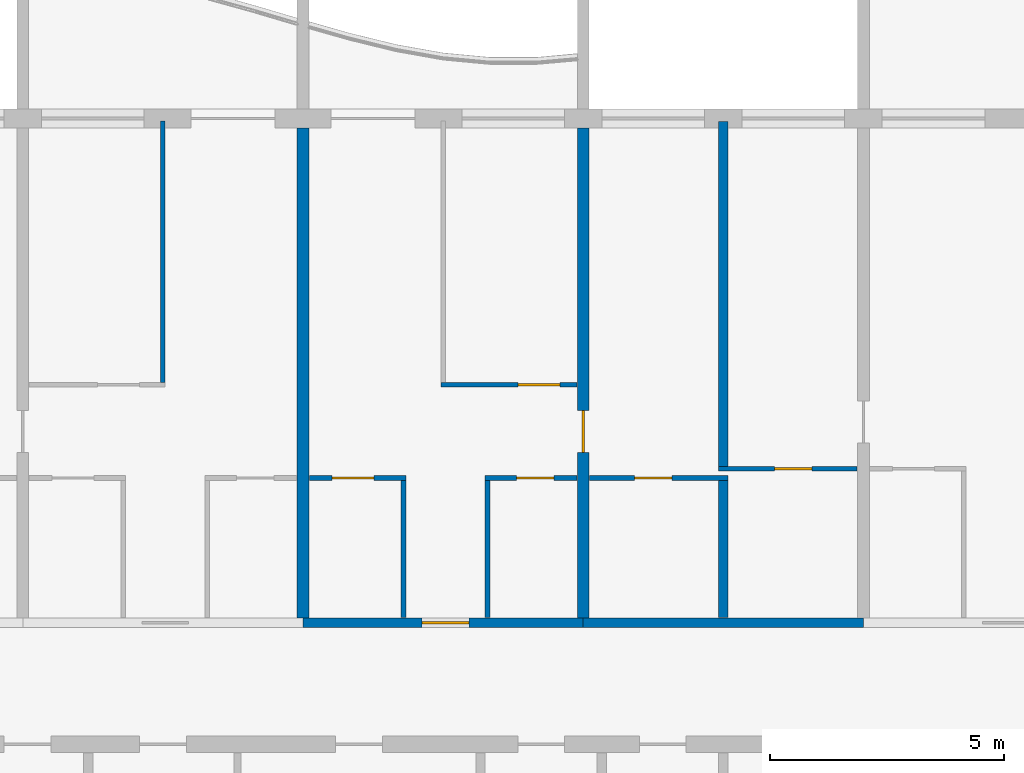
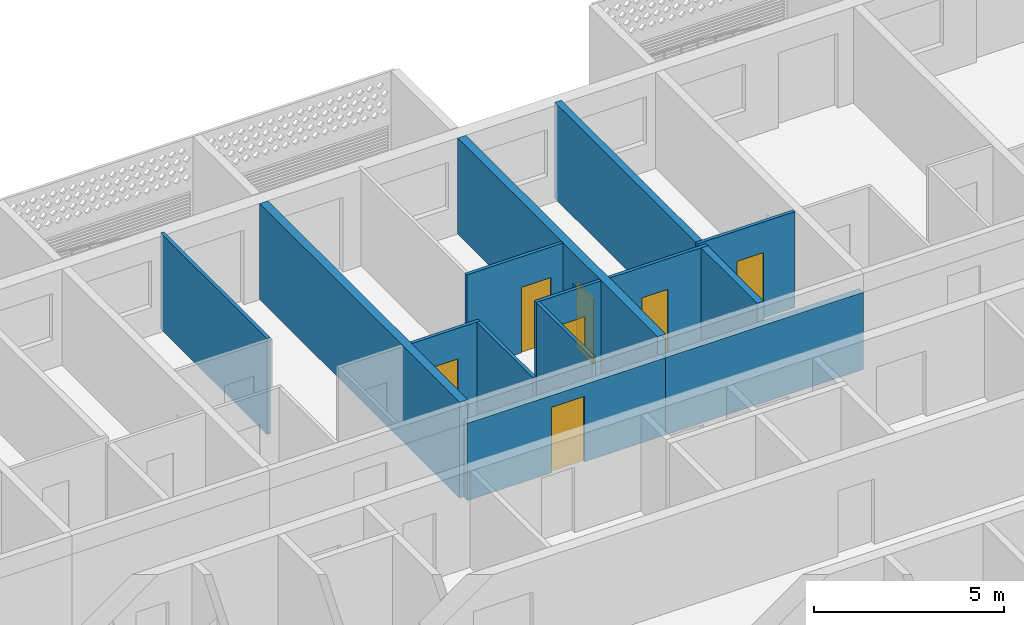
# One storey, part 9 of 27: 14 walls, 7 doors, 7 openings.
"""IFC4 building model written with IfcOpenShell, lengths in metres."""

from ifc_helpers import new_model, si_unit, direction, frame, frame_2d, origin, place, context, subcontext, project, spatial, rectangle, extrude, material, layer, layer_set, type_object, element, fill, save


model = new_model("IFC4")

# Units and contexts
model_context = context("Model", 3, precision=1e-05, world=origin(), true_north=direction((0.0, 1.0)))
body_context = subcontext(model_context, "Body", "Model", "MODEL_VIEW")
ifc_project = project(units=[si_unit("LENGTHUNIT", "METRE"), si_unit("AREAUNIT", "SQUARE_METRE"), si_unit("VOLUMEUNIT", "CUBIC_METRE"), si_unit("PLANEANGLEUNIT", "RADIAN"), si_unit("MASSUNIT", "GRAM", prefix="KILO")], contexts=[model_context])

# Site, building, storey
site_placement = place(None, origin())
site = spatial("IfcSite", under=ifc_project, at=site_placement, CompositionType="ELEMENT")
building_placement = place(site_placement, origin())
building = spatial("IfcBuilding", under=site, at=building_placement, Name="Poui Terraces", CompositionType="ELEMENT")
storey_placement = place(building_placement, frame((0.0, 0.0, 251.10009765625)))
storey = spatial("IfcBuildingStorey", under=building, at=storey_placement, Name="L70", CompositionType="ELEMENT", Elevation=251.10009765625)

# Wall, opening, door
ifc_material_1 = material(Name="Concrete 50 MPa", Category="concrete")
ifc_layer_1 = layer(ifc_material_1, 0.199951171875)
ifc_layer_set_1 = layer_set([ifc_layer_1], Name="Concrete 50 MPa")
wall_type_1 = type_object("IfcWallType", Name="CORRIDOR WALL 200 50MPa", PredefinedType="SHEAR", material=ifc_layer_set_1)
wall_1_placement = place(storey_placement, frame((54.0, 30.39990234375, 0.0), z_axis=(0.0, 0.0, 1.0), x_axis=(1.0, 0.0, 0.0)))
wall_1 = element("IfcWall", 1, at=wall_1_placement, inside=storey, type_object=wall_type_1, Name="CORRIDOR WALL LINE E BAY 7", PredefinedType="SHEAR", context=body_context, shape_type="SweptSolid", body=[
    extrude(rectangle(XDim=6.0, YDim=0.199951171875, at=frame_2d((3.0, 0.0))), origin(), (0.0, 0.0, 1.0), 2.47998046875),
])
opening_1_placement = place(wall_1_placement, frame((2.550048828125, 0.0, 0.0)))
opening_1 = element("IfcOpeningElement", 2, at=opening_1_placement, cuts=wall_1, Name="Opening FD30S", PredefinedType="OPENING", context=body_context, shape_type="SweptSolid", body=[
    extrude(rectangle(XDim=1.0, YDim=2.10009765625, at=frame_2d((0.5, 1.050048828125))), frame((0.0, 0.10986328125, 0.0), z_axis=(0.0, -1.0, 0.0), x_axis=(1.0, 0.0, 0.0)), (0.0, 0.0, 1.0), 0.219970703125),
])
ifc_material_2 = material(Name="Steel fire door", Category="steel")
door_type_1 = type_object("IfcDoorType", Name="FLAT ENTRANCE DOOR 1000 X 2100", OperationType="NOTDEFINED", PredefinedType="DOOR", material=ifc_material_2)
door_1_placement = place(opening_1_placement, origin())
door_1 = element("IfcDoor", 3, at=door_1_placement, inside=storey, type_object=door_type_1, Name="FLAT ENTRANCE DOOR 048", OperationType="SINGLE_SWING_RIGHT", OverallHeight=2.10009765625, OverallWidth=1.0, PredefinedType="DOOR", context=body_context, shape_type="SweptSolid", body=[
    extrude(rectangle(XDim=1.0, YDim=2.10009765625, at=frame_2d((0.5, 1.050048828125))), frame((0.0, 0.02490234375, 0.0), z_axis=(0.0, -1.0, 0.0), x_axis=(1.0, 0.0, 0.0)), (0.0, 0.0, 1.0), 0.050048828125),
])
fill(opening_1, door_1)

# Walls
wall_2_placement = place(storey_placement, frame((60.0, 30.39990234375, 0.0), z_axis=(0.0, 0.0, 1.0), x_axis=(1.0, 0.0, 0.0)))
element("IfcWall", 4, at=wall_2_placement, inside=storey, type_object=wall_type_1, Name="CORRIDOR WALL LINE E BAY 8", PredefinedType="SHEAR", context=body_context, shape_type="SweptSolid", body=[
    extrude(rectangle(XDim=6.0, YDim=0.199951171875, at=frame_2d((3.0, 0.0))), origin(), (0.0, 0.0, 1.0), 2.47998046875),
])
ifc_layer_2 = layer(ifc_material_1, 0.25)
ifc_layer_set_2 = layer_set([ifc_layer_2], Name="Concrete 50 MPa")
wall_type_2 = type_object("IfcWallType", Name="CROSS WALL 250 50MPa", PredefinedType="SHEAR", material=ifc_layer_set_2)
wall_3_placement = place(storey_placement, frame((54.0, 30.5, 0.0), z_axis=(0.0, 0.0, 1.0), x_axis=(0.0, 1.0, 0.0)))
element("IfcWall", 5, at=wall_3_placement, inside=storey, type_object=wall_type_2, Name="CROSS WALL LINE 10 NORTH", PredefinedType="SHEAR", context=body_context, shape_type="SweptSolid", body=[
    extrude(rectangle(XDim=10.5, YDim=0.25, at=frame_2d((5.25, 0.0))), origin(), (0.0, 0.0, 1.0), 3.079833984375),
])

# Wall, opening, door
wall_4_placement = place(storey_placement, frame((60.0, 30.5, 0.0), z_axis=(0.0, 0.0, 1.0), x_axis=(0.0, 1.0, 0.0)))
wall_4 = element("IfcWall", 6, at=wall_4_placement, inside=storey, type_object=wall_type_2, Name="CROSS WALL LINE 11 NORTH", PredefinedType="SHEAR", context=body_context, shape_type="SweptSolid", body=[
    extrude(rectangle(XDim=10.5, YDim=0.25, at=frame_2d((5.25, 0.0))), origin(), (0.0, 0.0, 1.0), 3.079833984375),
])
opening_2_placement = place(wall_4_placement, frame((3.550048828125, 0.0, 0.0)))
opening_2 = element("IfcOpeningElement", 7, at=opening_2_placement, cuts=wall_4, Name="Opening D90", PredefinedType="OPENING", context=body_context, shape_type="SweptSolid", body=[
    extrude(rectangle(XDim=0.89990234375, YDim=2.10009765625, at=frame_2d((0.449951171875, 1.050048828125))), frame((0.0, 0.135009765625, 0.0), z_axis=(0.0, -1.0, 0.0), x_axis=(1.0, 0.0, 0.0)), (0.0, 0.0, 1.0), 0.27001953125),
])
ifc_material_3 = material(Name="Solid core timber door", Category="wood")
door_type_2 = type_object("IfcDoorType", Name="INTERNAL DOOR 900 X 2100", OperationType="NOTDEFINED", PredefinedType="DOOR", material=ifc_material_3)
door_2_placement = place(opening_2_placement, frame((0.89990234375, 0.0, 0.0), z_axis=(0.0, 0.0, 1.0), x_axis=(-1.0, 0.0, 0.0)))
door_2 = element("IfcDoor", 8, at=door_2_placement, inside=storey, type_object=door_type_2, Name="INTERNAL DOOR 051", OperationType="SINGLE_SWING_RIGHT", OverallHeight=2.10009765625, OverallWidth=0.89990234375, PredefinedType="DOOR", context=body_context, shape_type="SweptSolid", body=[
    extrude(rectangle(XDim=0.89990234375, YDim=2.10009765625, at=frame_2d((0.449951171875, 1.050048828125))), frame((0.0, 0.02490234375, 0.0), z_axis=(0.0, -1.0, 0.0), x_axis=(1.0, 0.0, 0.0)), (0.0, 0.0, 1.0), 0.050048828125),
])
fill(opening_2, door_2)

ifc_material_4 = material(Name="Plasterboard partition")
ifc_layer_3 = layer(ifc_material_4, 0.10009765625)
ifc_layer_set_3 = layer_set([ifc_layer_3], Name="Plasterboard partition")
wall_type_3 = type_object("IfcWallType", Name="FLAT PARTITION 100", PredefinedType="PARTITIONING", material=ifc_layer_set_3)
wall_5_placement = place(storey_placement, frame((54.135009765625, 33.5, 0.0), z_axis=(0.0, 0.0, 1.0), x_axis=(1.0, 0.0, 0.0)))
wall_5 = element("IfcWall", 9, at=wall_5_placement, inside=storey, type_object=wall_type_3, Name="FLAT PARTITION 100", PredefinedType="PARTITIONING", context=body_context, shape_type="SweptSolid", body=[
    extrude(rectangle(XDim=2.06494140625, YDim=0.10009765625, at=frame_2d((1.032470703125, 0.0))), origin(), (0.0, 0.0, 1.0), 3.079833984375),
])
opening_3_placement = place(wall_5_placement, frame((0.489990234375, 0.0, 0.0)))
opening_3 = element("IfcOpeningElement", 10, at=opening_3_placement, cuts=wall_5, Name="Opening D90", PredefinedType="OPENING", context=body_context, shape_type="SweptSolid", body=[
    extrude(rectangle(XDim=0.89990234375, YDim=2.10009765625, at=frame_2d((0.449951171875, 1.050048828125))), frame((0.0, 0.06005859375, 0.0), z_axis=(0.0, -1.0, 0.0), x_axis=(1.0, 0.0, 0.0)), (0.0, 0.0, 1.0), 0.1201171875),
])
door_3_placement = place(opening_3_placement, frame((0.89990234375, 0.0, 0.0), z_axis=(0.0, 0.0, 1.0), x_axis=(-1.0, 0.0, 0.0)))
door_3 = element("IfcDoor", 11, at=door_3_placement, inside=storey, type_object=door_type_2, Name="INTERNAL DOOR 047", OperationType="SINGLE_SWING_RIGHT", OverallHeight=2.10009765625, OverallWidth=0.89990234375, PredefinedType="DOOR", context=body_context, shape_type="SweptSolid", body=[
    extrude(rectangle(XDim=0.89990234375, YDim=2.10009765625, at=frame_2d((0.449951171875, 1.050048828125))), frame((0.0, 0.02490234375, 0.0), z_axis=(0.0, -1.0, 0.0), x_axis=(1.0, 0.0, 0.0)), (0.0, 0.0, 1.0), 0.050048828125),
])
fill(opening_3, door_3)

wall_6_placement = place(storey_placement, frame((57.89990234375, 33.5, 0.0), z_axis=(0.0, 0.0, 1.0), x_axis=(1.0, 0.0, 0.0)))
wall_6 = element("IfcWall", 12, at=wall_6_placement, inside=storey, type_object=wall_type_3, Name="FLAT PARTITION 100", PredefinedType="PARTITIONING", context=body_context, shape_type="SweptSolid", body=[
    extrude(rectangle(XDim=1.965087890625, YDim=0.10009765625, at=frame_2d((0.982421875, 0.0))), origin(), (0.0, 0.0, 1.0), 3.079833984375),
])
opening_4_placement = place(wall_6_placement, frame((0.675048828125, 0.0, 0.0)))
opening_4 = element("IfcOpeningElement", 13, at=opening_4_placement, cuts=wall_6, Name="Opening D80", PredefinedType="OPENING", context=body_context, shape_type="SweptSolid", body=[
    extrude(rectangle(XDim=0.800048828125, YDim=2.10009765625, at=frame_2d((0.39990234375, 1.050048828125))), frame((0.0, 0.06005859375, 0.0), z_axis=(0.0, -1.0, 0.0), x_axis=(1.0, 0.0, 0.0)), (0.0, 0.0, 1.0), 0.1201171875),
])
door_type_3 = type_object("IfcDoorType", Name="BATHROOM, LAUNDRY AND STORE DOOR 800 X 2100", OperationType="NOTDEFINED", PredefinedType="DOOR", material=ifc_material_3)
door_4_placement = place(opening_4_placement, frame((0.800048828125, 0.0, 0.0), z_axis=(0.0, 0.0, 1.0), x_axis=(-1.0, 0.0, 0.0)))
door_4 = element("IfcDoor", 14, at=door_4_placement, inside=storey, type_object=door_type_3, Name="BATHROOM, LAUNDRY AND STORE DOOR 049", OperationType="SINGLE_SWING_LEFT", OverallHeight=2.10009765625, OverallWidth=0.800048828125, PredefinedType="DOOR", context=body_context, shape_type="SweptSolid", body=[
    extrude(rectangle(XDim=0.800048828125, YDim=2.10009765625, at=frame_2d((0.39990234375, 1.050048828125))), frame((0.0, 0.02490234375, 0.0), z_axis=(0.0, -1.0, 0.0), x_axis=(1.0, 0.0, 0.0)), (0.0, 0.0, 1.0), 0.050048828125),
])
fill(opening_4, door_4)

wall_7_placement = place(storey_placement, frame((60.135009765625, 33.5, 0.0), z_axis=(0.0, 0.0, 1.0), x_axis=(1.0, 0.0, 0.0)))
wall_7 = element("IfcWall", 15, at=wall_7_placement, inside=storey, type_object=wall_type_3, Name="FLAT PARTITION 100", PredefinedType="PARTITIONING", context=body_context, shape_type="SweptSolid", body=[
    extrude(rectangle(XDim=2.965087890625, YDim=0.10009765625, at=frame_2d((1.482421875, 0.0))), origin(), (0.0, 0.0, 1.0), 3.079833984375),
])
opening_5_placement = place(wall_7_placement, frame((0.965087890625, 0.0, 0.0)))
opening_5 = element("IfcOpeningElement", 16, at=opening_5_placement, cuts=wall_7, Name="Opening D80", PredefinedType="OPENING", context=body_context, shape_type="SweptSolid", body=[
    extrude(rectangle(XDim=0.800048828125, YDim=2.10009765625, at=frame_2d((0.39990234375, 1.050048828125))), frame((0.0, 0.06005859375, 0.0), z_axis=(0.0, -1.0, 0.0), x_axis=(1.0, 0.0, 0.0)), (0.0, 0.0, 1.0), 0.1201171875),
])
door_5_placement = place(opening_5_placement, frame((0.800048828125, 0.0, 0.0), z_axis=(0.0, 0.0, 1.0), x_axis=(-1.0, 0.0, 0.0)))
door_5 = element("IfcDoor", 17, at=door_5_placement, inside=storey, type_object=door_type_3, Name="BATHROOM, LAUNDRY AND STORE DOOR 046", OperationType="SINGLE_SWING_RIGHT", OverallHeight=2.10009765625, OverallWidth=0.800048828125, PredefinedType="DOOR", context=body_context, shape_type="SweptSolid", body=[
    extrude(rectangle(XDim=0.800048828125, YDim=2.10009765625, at=frame_2d((0.39990234375, 1.050048828125))), frame((0.0, 0.02490234375, 0.0), z_axis=(0.0, -1.0, 0.0), x_axis=(1.0, 0.0, 0.0)), (0.0, 0.0, 1.0), 0.050048828125),
])
fill(opening_5, door_5)

wall_8_placement = place(storey_placement, frame((62.89990234375, 33.699951171875, 0.0), z_axis=(0.0, 0.0, 1.0), x_axis=(1.0, 0.0, 0.0)))
wall_8 = element("IfcWall", 18, at=wall_8_placement, inside=storey, type_object=wall_type_3, Name="FLAT PARTITION 100", PredefinedType="PARTITIONING", context=body_context, shape_type="SweptSolid", body=[
    extrude(rectangle(XDim=2.965087890625, YDim=0.10009765625, at=frame_2d((1.482421875, 0.0))), origin(), (0.0, 0.0, 1.0), 3.079833984375),
])
opening_6_placement = place(wall_8_placement, frame((1.199951171875, 0.0, 0.0)))
opening_6 = element("IfcOpeningElement", 19, at=opening_6_placement, cuts=wall_8, Name="Opening D80", PredefinedType="OPENING", context=body_context, shape_type="SweptSolid", body=[
    extrude(rectangle(XDim=0.800048828125, YDim=2.10009765625, at=frame_2d((0.39990234375, 1.050048828125))), frame((0.0, 0.06005859375, 0.0), z_axis=(0.0, -1.0, 0.0), x_axis=(1.0, 0.0, 0.0)), (0.0, 0.0, 1.0), 0.1201171875),
])
door_6_placement = place(opening_6_placement, frame((0.800048828125, 0.0, 0.0), z_axis=(0.0, 0.0, 1.0), x_axis=(-1.0, 0.0, 0.0)))
door_6 = element("IfcDoor", 20, at=door_6_placement, inside=storey, type_object=door_type_3, Name="BATHROOM, LAUNDRY AND STORE DOOR 052", OperationType="SINGLE_SWING_LEFT", OverallHeight=2.10009765625, OverallWidth=0.800048828125, PredefinedType="DOOR", context=body_context, shape_type="SweptSolid", body=[
    extrude(rectangle(XDim=0.800048828125, YDim=2.10009765625, at=frame_2d((0.39990234375, 1.050048828125))), frame((0.0, 0.02490234375, 0.0), z_axis=(0.0, -1.0, 0.0), x_axis=(1.0, 0.0, 0.0)), (0.0, 0.0, 1.0), 0.050048828125),
])
fill(opening_6, door_6)

wall_9_placement = place(storey_placement, frame((56.949951171875, 35.5, 0.0), z_axis=(0.0, 0.0, 1.0), x_axis=(1.0, 0.0, 0.0)))
wall_9 = element("IfcWall", 21, at=wall_9_placement, inside=storey, type_object=wall_type_3, Name="FLAT PARTITION 100", PredefinedType="PARTITIONING", context=body_context, shape_type="SweptSolid", body=[
    extrude(rectangle(XDim=2.9150390625, YDim=0.10009765625, at=frame_2d((1.45751953125, 0.0))), origin(), (0.0, 0.0, 1.0), 3.079833984375),
])
opening_7_placement = place(wall_9_placement, frame((1.64990234375, 0.0, 0.0)))
opening_7 = element("IfcOpeningElement", 22, at=opening_7_placement, cuts=wall_9, Name="Opening D90", PredefinedType="OPENING", context=body_context, shape_type="SweptSolid", body=[
    extrude(rectangle(XDim=0.89990234375, YDim=2.10009765625, at=frame_2d((0.449951171875, 1.050048828125))), frame((0.0, 0.06005859375, 0.0), z_axis=(0.0, -1.0, 0.0), x_axis=(1.0, 0.0, 0.0)), (0.0, 0.0, 1.0), 0.1201171875),
])
door_7_placement = place(opening_7_placement, frame((0.89990234375, 0.0, 0.0), z_axis=(0.0, 0.0, 1.0), x_axis=(-1.0, 0.0, 0.0)))
door_7 = element("IfcDoor", 23, at=door_7_placement, inside=storey, type_object=door_type_2, Name="INTERNAL DOOR 050", OperationType="SINGLE_SWING_RIGHT", OverallHeight=2.10009765625, OverallWidth=0.89990234375, PredefinedType="DOOR", context=body_context, shape_type="SweptSolid", body=[
    extrude(rectangle(XDim=0.89990234375, YDim=2.10009765625, at=frame_2d((0.449951171875, 1.050048828125))), frame((0.0, 0.02490234375, 0.0), z_axis=(0.0, -1.0, 0.0), x_axis=(1.0, 0.0, 0.0)), (0.0, 0.0, 1.0), 0.050048828125),
])
fill(opening_7, door_7)

# Walls
wall_10_placement = place(storey_placement, frame((51.0, 35.550048828125, 0.0), z_axis=(0.0, 0.0, 1.0), x_axis=(0.0, 1.0, 0.0)))
element("IfcWall", 24, at=wall_10_placement, inside=storey, type_object=wall_type_3, Name="FLAT PARTITION 100", PredefinedType="PARTITIONING", context=body_context, shape_type="SweptSolid", body=[
    extrude(rectangle(XDim=5.58984375, YDim=0.10009765625, at=frame_2d((2.794921875, 0.0))), origin(), (0.0, 0.0, 1.0), 3.079833984375),
])
for number, where, z_axis, x_axis, name in (
    (25, (56.14990234375, 30.510009765625, 0.0), (0.0, 0.0, 1.0), (0.0, 1.0, 0.0), "FLAT PARTITION 100"),
    (26, (57.949951171875, 30.510009765625, 0.0), (0.0, 0.0, 1.0), (0.0, 1.0, 0.0), "FLAT PARTITION 100"),
):
    element("IfcWall", number, at=place(storey_placement, frame(where, z_axis=z_axis, x_axis=x_axis)), inside=storey, type_object=wall_type_3, Name=name, PredefinedType="PARTITIONING", context=body_context, shape_type="SweptSolid", body=[
        extrude(rectangle(XDim=2.93994140625, YDim=0.10009765625, at=frame_2d((1.469970703125, 0.0))), origin(), (0.0, 0.0, 1.0), 3.079833984375),
    ])
ifc_material_5 = material(Name="Fire-rated masonry wall", Category="masonry")
ifc_layer_4 = layer(ifc_material_5, 0.199951171875)
ifc_layer_set_4 = layer_set([ifc_layer_4], Name="Fire-rated masonry wall")
wall_type_4 = type_object("IfcWallType", Name="FLAT PARTY WALL 200", PredefinedType="PARTITIONING", material=ifc_layer_set_4)
wall_11_placement = place(storey_placement, frame((63.0, 30.510009765625, 0.0), z_axis=(0.0, 0.0, 1.0), x_axis=(0.0, 1.0, 0.0)))
element("IfcWall", 27, at=wall_11_placement, inside=storey, type_object=wall_type_4, Name="FLAT PARTY WALL 200", PredefinedType="PARTITIONING", context=body_context, shape_type="SweptSolid", body=[
    extrude(rectangle(XDim=2.93994140625, YDim=0.199951171875, at=frame_2d((1.469970703125, 0.0))), origin(), (0.0, 0.0, 1.0), 3.079833984375),
])
wall_12_placement = place(storey_placement, frame((63.0, 33.75, 0.0), z_axis=(0.0, 0.0, 1.0), x_axis=(0.0, 1.0, 0.0)))
element("IfcWall", 28, at=wall_12_placement, inside=storey, type_object=wall_type_4, Name="FLAT PARTY WALL 200", PredefinedType="PARTITIONING", context=body_context, shape_type="SweptSolid", body=[
    extrude(rectangle(XDim=7.389892578125, YDim=0.199951171875, at=frame_2d((3.69482421875, 0.0))), origin(), (0.0, 0.0, 1.0), 3.079833984375),
])

save(model, "model.ifc")
